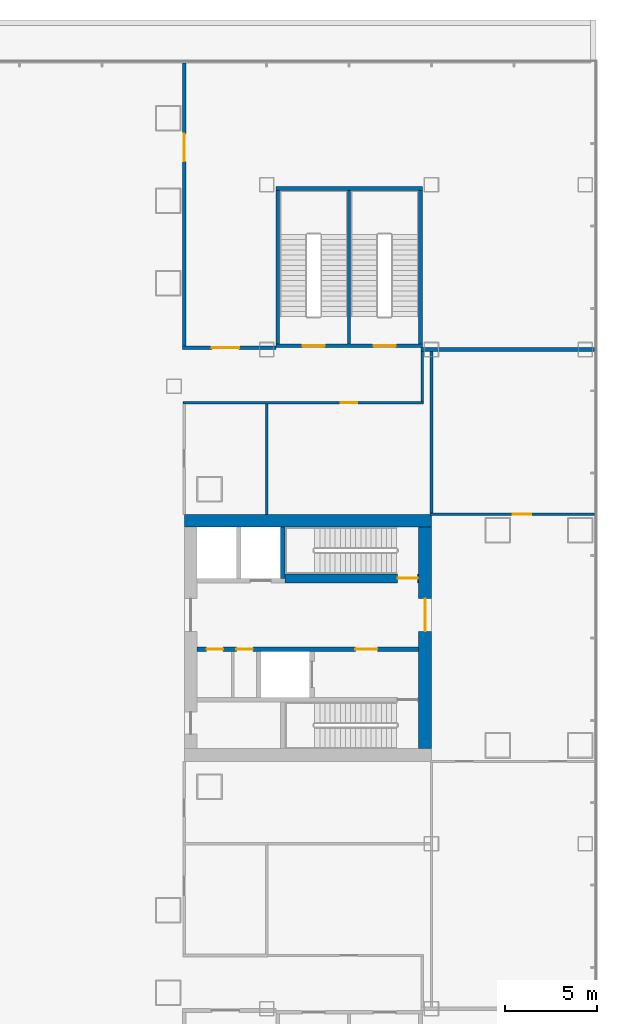
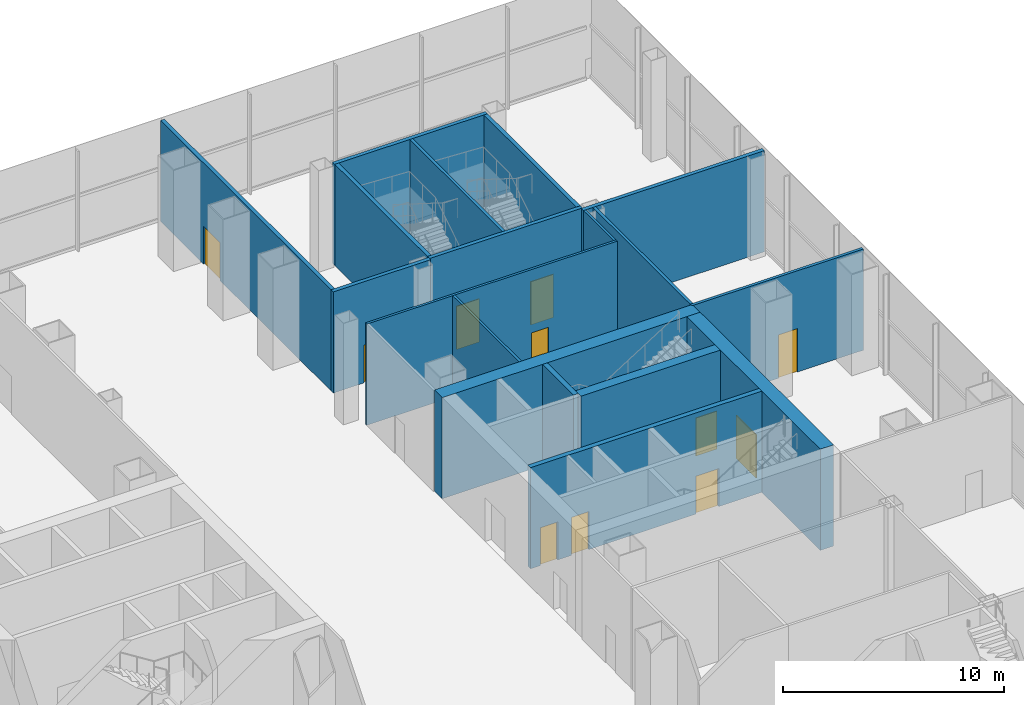
# One storey, part 29 of 38: 18 walls, 11 doors, 11 openings.
"""IFC4 building model written with IfcOpenShell, lengths in metres."""

from ifc_helpers import new_model, si_unit, direction, frame, frame_2d, origin, place, context, subcontext, project, spatial, rectangle, extrude, material, layer, layer_set, type_object, element, fill, save


model = new_model("IFC4")

# Units and contexts
model_context = context("Model", 3, precision=1e-05, world=origin(), true_north=direction((0.0, 1.0)))
body_context = subcontext(model_context, "Body", "Model", "MODEL_VIEW")
ifc_project = project(units=[si_unit("LENGTHUNIT", "METRE"), si_unit("AREAUNIT", "SQUARE_METRE"), si_unit("VOLUMEUNIT", "CUBIC_METRE"), si_unit("PLANEANGLEUNIT", "RADIAN"), si_unit("MASSUNIT", "GRAM", prefix="KILO")], contexts=[model_context])

# Site, building, storey
site_placement = place(None, origin())
site = spatial("IfcSite", under=ifc_project, at=site_placement, CompositionType="ELEMENT")
building_placement = place(site_placement, origin())
building = spatial("IfcBuilding", under=site, at=building_placement, Name="Shamsa Quay Exchange Towers", CompositionType="ELEMENT")
storey_placement = place(building_placement, frame((0.0, 0.0, 12.5)))
storey = spatial("IfcBuildingStorey", under=building, at=storey_placement, Name="L02", CompositionType="ELEMENT", Elevation=12.5)

# Wall, opening, door
ifc_material_1 = material(Name="Double-leaf gypsum board partition with acoustic insulation")
ifc_layer_1 = layer(ifc_material_1, 0.199951171875)
ifc_layer_set_1 = layer_set([ifc_layer_1], Name="Acoustic partition 200 mm EI 60")
wall_type_1 = type_object("IfcWallType", Name="Acoustic partition 200 mm EI 60", PredefinedType="PARTITIONING", material=ifc_layer_set_1)
wall_1_placement = place(storey_placement, frame((40.5, 15.94970703125, 0.0), z_axis=(0.0, 0.0, 1.0), x_axis=(0.0, 1.0, 0.0)))
wall_1 = element("IfcWall", 1, at=wall_1_placement, inside=storey, type_object=wall_type_1, Name="Partition PD-L02-W12", PredefinedType="PARTITIONING", context=body_context, shape_type="SweptSolid", body=[
    extrude(rectangle(XDim=15.455322265625, YDim=0.199951171875, at=frame_2d((7.7275390625, 0.0))), origin(), (0.0, 0.0, 1.0), 5.60009765625),
])
opening_1_placement = place(wall_1_placement, frame((10.075439453125, 0.0, 0.0)))
opening_1 = element("IfcOpeningElement", 2, at=opening_1_placement, cuts=wall_1, Name="Opening PD-L02-D45", PredefinedType="OPENING", context=body_context, shape_type="SweptSolid", body=[
    extrude(rectangle(XDim=1.5, YDim=2.10009765625, at=frame_2d((0.75, 1.050048828125))), frame((0.0, 0.10986328125, 0.0), z_axis=(0.0, -1.0, 0.0), x_axis=(1.0, 0.0, 0.0)), (0.0, 0.0, 1.0), 0.219970703125),
])
ifc_material_2 = material(Name="Timber door leaf in a metal frame", Category="wood")
door_type_1 = type_object("IfcDoorType", Name="Door 1500x2100 FD30S pair", OperationType="NOTDEFINED", PredefinedType="DOOR", material=ifc_material_2)
door_1_placement = place(opening_1_placement, origin())
door_1 = element("IfcDoor", 3, at=door_1_placement, inside=storey, type_object=door_type_1, Name="Door PD-L02-D45", OperationType="DOUBLE_DOOR_SINGLE_SWING", OverallHeight=2.10009765625, OverallWidth=1.5, PredefinedType="DOOR", context=body_context, shape_type="SweptSolid", body=[
    extrude(rectangle(XDim=1.5, YDim=2.10009765625, at=frame_2d((0.75, 1.050048828125))), frame((0.0, 0.02490234375, 0.0), z_axis=(0.0, -1.0, 0.0), x_axis=(1.0, 0.0, 0.0)), (0.0, 0.0, 1.0), 0.050048828125),
])
fill(opening_1, door_1)

wall_2_placement = place(storey_placement, frame((45.5, 15.849609375, 0.0), z_axis=(0.0, 0.0, 1.0), x_axis=(-1.0, 0.0, 0.0)))
wall_2 = element("IfcWall", 4, at=wall_2_placement, inside=storey, type_object=wall_type_1, Name="Partition PD-L02-W35", PredefinedType="PARTITIONING", context=body_context, shape_type="SweptSolid", body=[
    extrude(rectangle(XDim=5.10009765625, YDim=0.199951171875, at=frame_2d((2.550048828125, 0.0))), origin(), (0.0, 0.0, 1.0), 5.60009765625),
])
opening_2_placement = place(wall_2_placement, frame((2.0, 0.0, 0.0)))
opening_2 = element("IfcOpeningElement", 5, at=opening_2_placement, cuts=wall_2, Name="Opening PD-L02-D47", PredefinedType="OPENING", context=body_context, shape_type="SweptSolid", body=[
    extrude(rectangle(XDim=1.5, YDim=2.10009765625, at=frame_2d((0.75, 1.050048828125))), frame((0.0, 0.10986328125, 0.0), z_axis=(0.0, -1.0, 0.0), x_axis=(1.0, 0.0, 0.0)), (0.0, 0.0, 1.0), 0.219970703125),
])
door_2_placement = place(opening_2_placement, origin())
door_2 = element("IfcDoor", 6, at=door_2_placement, inside=storey, type_object=door_type_1, Name="Door PD-L02-D47", OperationType="DOUBLE_DOOR_SINGLE_SWING", OverallHeight=2.10009765625, OverallWidth=1.5, PredefinedType="DOOR", context=body_context, shape_type="SweptSolid", body=[
    extrude(rectangle(XDim=1.5, YDim=2.10009765625, at=frame_2d((0.75, 1.050048828125))), frame((0.0, 0.02490234375, 0.0), z_axis=(0.0, -1.0, 0.0), x_axis=(1.0, 0.0, 0.0)), (0.0, 0.0, 1.0), 0.050048828125),
])
fill(opening_2, door_2)

# Walls
wall_3_placement = place(storey_placement, frame((53.4375, 15.75, 0.0)))
element("IfcWall", 7, at=wall_3_placement, inside=storey, type_object=wall_type_1, Name="Partition PD-L02-W76", PredefinedType="PARTITIONING", context=body_context, shape_type="SweptSolid", body=[
    extrude(rectangle(XDim=9.467529296875, YDim=0.199951171875, at=frame_2d((4.73388671875, 0.0))), origin(), (0.0, 0.0, 1.0), 5.60009765625),
])
ifc_material_3 = material(Name="Concrete C80/95", Category="concrete")
ifc_layer_2 = layer(ifc_material_3, 0.699951171875)
ifc_layer_set_2 = layer_set([ifc_layer_2], Name="CORE WALL 700 C80/95")
wall_type_2 = type_object("IfcWallType", Name="CORE WALL 700 C80/95", PredefinedType="SHEAR", material=ifc_layer_set_2)
wall_4_placement = place(storey_placement, frame((54.0, 6.39990234375, 0.0), z_axis=(0.0, 0.0, 1.0), x_axis=(-1.0, 0.0, 0.0)))
element("IfcWall", 8, at=wall_4_placement, inside=storey, type_object=wall_type_2, Name="Core wall T2B-L02-PN", PredefinedType="SHEAR", context=body_context, shape_type="SweptSolid", body=[
    extrude(rectangle(XDim=13.5, YDim=0.699951171875, at=frame_2d((6.75, 0.0))), origin(), (0.0, 0.0, 1.0), 5.60009765625),
])

# Wall, opening, door
wall_5_placement = place(storey_placement, frame((53.64990234375, -6.050048828125, 0.0), z_axis=(0.0, 0.0, 1.0), x_axis=(0.0, 1.0, 0.0)))
wall_5 = element("IfcWall", 9, at=wall_5_placement, inside=storey, type_object=wall_type_2, Name="Core wall T2B-L02-PF", PredefinedType="SHEAR", context=body_context, shape_type="SweptSolid", body=[
    extrude(rectangle(XDim=12.10009765625, YDim=0.699951171875, at=frame_2d((6.050048828125, 0.0))), origin(), (0.0, 0.0, 1.0), 5.60009765625),
])
opening_3_placement = place(wall_5_placement, frame((6.39990234375, 0.0, 0.0)))
opening_3 = element("IfcOpeningElement", 10, at=opening_3_placement, cuts=wall_5, Name="Opening T2B-L02-LBD01", PredefinedType="OPENING", context=body_context, shape_type="SweptSolid", body=[
    extrude(rectangle(XDim=1.800048828125, YDim=2.39990234375, at=frame_2d((0.89990234375, 1.199951171875))), frame((0.0, 0.35986328125, 0.0), z_axis=(0.0, -1.0, 0.0), x_axis=(1.0, 0.0, 0.0)), (0.0, 0.0, 1.0), 0.719970703125),
])
ifc_material_4 = material(Name="Steel, fire rated", Category="steel")
door_type_2 = type_object("IfcDoorType", Name="LIFT LOBBY DOOR PAIR 1800", OperationType="DOUBLE_DOOR_SINGLE_SWING", PredefinedType="DOOR", material=ifc_material_4)
door_3_placement = place(opening_3_placement, origin())
door_3 = element("IfcDoor", 11, at=door_3_placement, inside=storey, type_object=door_type_2, Name="T2B-L02-LBD01", OperationType="DOUBLE_DOOR_SINGLE_SWING", OverallHeight=2.39990234375, OverallWidth=1.800048828125, PredefinedType="DOOR", context=body_context, shape_type="SweptSolid", body=[
    extrude(rectangle(XDim=1.800048828125, YDim=2.39990234375, at=frame_2d((0.89990234375, 1.199951171875))), frame((0.0, 0.02490234375, 0.0), z_axis=(0.0, -1.0, 0.0), x_axis=(1.0, 0.0, 0.0)), (0.0, 0.0, 1.0), 0.050048828125),
])
fill(opening_3, door_3)

ifc_material_5 = material(Name="Laminated fire-resisting glass in a metal frame", Category="glass")
ifc_layer_3 = layer(ifc_material_5, 0.125)
ifc_layer_set_3 = layer_set([ifc_layer_3], Name="Glazed partition 125 mm EI 60")
wall_type_3 = type_object("IfcWallType", Name="Glazed partition 125 mm EI 60", PredefinedType="PARTITIONING", material=ifc_layer_set_3)
wall_6_placement = place(storey_placement, frame((53.5625, 12.849609375, 0.0), z_axis=(0.0, 0.0, 1.0), x_axis=(-1.0, 0.0, 0.0)))
wall_6 = element("IfcWall", 12, at=wall_6_placement, inside=storey, type_object=wall_type_3, Name="Partition PD-L02-W42", PredefinedType="PARTITIONING", context=body_context, shape_type="SweptSolid", body=[
    extrude(rectangle(XDim=13.125, YDim=0.125, at=frame_2d((6.5625, 0.0))), origin(), (0.0, 0.0, 1.0), 5.60009765625),
])
opening_4_placement = place(wall_6_placement, frame((3.612548828125, 0.0, 0.0)))
opening_4 = element("IfcOpeningElement", 13, at=opening_4_placement, cuts=wall_6, Name="Opening PD-L02-D48", PredefinedType="OPENING", context=body_context, shape_type="SweptSolid", body=[
    extrude(rectangle(XDim=0.89990234375, YDim=2.10009765625, at=frame_2d((0.449951171875, 1.050048828125))), frame((0.0, 0.072509765625, 0.0), z_axis=(0.0, -1.0, 0.0), x_axis=(1.0, 0.0, 0.0)), (0.0, 0.0, 1.0), 0.14501953125),
])
door_type_3 = type_object("IfcDoorType", Name="Door 900x2100 FD30S", OperationType="NOTDEFINED", PredefinedType="DOOR", material=ifc_material_2)
door_4_placement = place(opening_4_placement, origin())
door_4 = element("IfcDoor", 14, at=door_4_placement, inside=storey, type_object=door_type_3, Name="Door PD-L02-D48", OperationType="SINGLE_SWING_RIGHT", OverallHeight=2.10009765625, OverallWidth=0.89990234375, PredefinedType="DOOR", context=body_context, shape_type="SweptSolid", body=[
    extrude(rectangle(XDim=0.89990234375, YDim=2.10009765625, at=frame_2d((0.449951171875, 1.050048828125))), frame((0.0, 0.02490234375, 0.0), z_axis=(0.0, -1.0, 0.0), x_axis=(1.0, 0.0, 0.0)), (0.0, 0.0, 1.0), 0.050048828125),
])
fill(opening_4, door_4)

# Walls
wall_7_placement = place(storey_placement, frame((53.5, 15.64990234375, 0.0), z_axis=(0.0, 0.0, 1.0), x_axis=(0.0, -1.0, 0.0)))
element("IfcWall", 15, at=wall_7_placement, inside=storey, type_object=wall_type_3, Name="Partition PD-L02-W47", PredefinedType="PARTITIONING", context=body_context, shape_type="SweptSolid", body=[
    extrude(rectangle(XDim=2.73779296875, YDim=0.125, at=frame_2d((1.368896484375, 0.0))), origin(), (0.0, 0.0, 1.0), 5.60009765625),
])
wall_8_placement = place(storey_placement, frame((45.0, 12.787109375, 0.0), z_axis=(0.0, 0.0, 1.0), x_axis=(0.0, -1.0, 0.0)))
element("IfcWall", 16, at=wall_8_placement, inside=storey, type_object=wall_type_3, Name="Partition PD-L02-W95", PredefinedType="PARTITIONING", context=body_context, shape_type="SweptSolid", body=[
    extrude(rectangle(XDim=6.037109375, YDim=0.125, at=frame_2d((3.0185546875, 0.0))), origin(), (0.0, 0.0, 1.0), 5.60009765625),
])

# Wall, opening, door
ifc_material_6 = material(Name="Gypsum board partition on metal studs")
ifc_layer_4 = layer(ifc_material_6, 0.14990234375)
ifc_layer_set_4 = layer_set([ifc_layer_4], Name="Partition 150 mm EI 60")
wall_type_4 = type_object("IfcWallType", Name="Partition 150 mm EI 60", PredefinedType="PARTITIONING", material=ifc_layer_set_4)
wall_9_placement = place(storey_placement, frame((53.925048828125, 6.75, 0.0)))
wall_9 = element("IfcWall", 17, at=wall_9_placement, inside=storey, type_object=wall_type_4, Name="Partition PD-L02-W34", PredefinedType="PARTITIONING", context=body_context, shape_type="SweptSolid", body=[
    extrude(rectangle(XDim=8.97998046875, YDim=0.14990234375, at=frame_2d((4.489990234375, 0.0))), origin(), (0.0, 0.0, 1.0), 5.60009765625),
])
opening_5_placement = place(wall_9_placement, frame((4.52490234375, 0.0, 0.0)))
opening_5 = element("IfcOpeningElement", 18, at=opening_5_placement, cuts=wall_9, Name="Opening PD-L02-D51", PredefinedType="OPENING", context=body_context, shape_type="SweptSolid", body=[
    extrude(rectangle(XDim=1.0, YDim=2.39990234375, at=frame_2d((0.5, 1.199951171875))), frame((0.0, 0.0849609375, 0.0), z_axis=(0.0, -1.0, 0.0), x_axis=(1.0, 0.0, 0.0)), (0.0, 0.0, 1.0), 0.169921875),
])
door_type_4 = type_object("IfcDoorType", Name="Door 1000x2400 FD30S", OperationType="NOTDEFINED", PredefinedType="DOOR", material=ifc_material_2)
door_5_placement = place(opening_5_placement, origin())
door_5 = element("IfcDoor", 19, at=door_5_placement, inside=storey, type_object=door_type_4, Name="Door PD-L02-D51", OperationType="SINGLE_SWING_RIGHT", OverallHeight=2.39990234375, OverallWidth=1.0, PredefinedType="DOOR", context=body_context, shape_type="SweptSolid", body=[
    extrude(rectangle(XDim=1.0, YDim=2.39990234375, at=frame_2d((0.5, 1.199951171875))), frame((0.0, 0.02490234375, 0.0), z_axis=(0.0, -1.0, 0.0), x_axis=(1.0, 0.0, 0.0)), (0.0, 0.0, 1.0), 0.050048828125),
])
fill(opening_5, door_5)

# Wall
wall_10_placement = place(storey_placement, frame((54.0, 15.64990234375, 0.0), z_axis=(0.0, 0.0, 1.0), x_axis=(0.0, -1.0, 0.0)))
element("IfcWall", 20, at=wall_10_placement, inside=storey, type_object=wall_type_4, Name="Partition PD-L02-W90", PredefinedType="PARTITIONING", context=body_context, shape_type="SweptSolid", body=[
    extrude(rectangle(XDim=8.824951171875, YDim=0.14990234375, at=frame_2d((4.41259765625, 0.0))), origin(), (0.0, 0.0, 1.0), 5.60009765625),
])

# Wall, openings, doors
ifc_material_7 = material(Name="Concrete C50/60", Category="concrete")
ifc_layer_5 = layer(ifc_material_7, 0.25)
ifc_layer_set_5 = layer_set([ifc_layer_5], Name="SHAFT WALL 250 C50/60")
wall_type_5 = type_object("IfcWallType", Name="SHAFT WALL 250 C50/60", PredefinedType="SHEAR", material=ifc_layer_set_5)
wall_11_placement = place(storey_placement, frame((53.300048828125, -0.625, 0.0), z_axis=(0.0, 0.0, 1.0), x_axis=(-1.0, 0.0, 0.0)))
wall_11 = element("IfcWall", 21, at=wall_11_placement, inside=storey, type_object=wall_type_5, Name="Shaft wall T2B-L02-B", PredefinedType="SHEAR", context=body_context, shape_type="SweptSolid", body=[
    extrude(rectangle(XDim=12.10009765625, YDim=0.25, at=frame_2d((6.050048828125, 0.0))), origin(), (0.0, 0.0, 1.0), 5.60009765625),
])
opening_6_placement = place(wall_11_placement, frame((2.25, 0.0, 0.0)))
opening_6 = element("IfcOpeningElement", 22, at=opening_6_placement, cuts=wall_11, Name="Opening T2B-L02-FD05", PredefinedType="OPENING", context=body_context, shape_type="SweptSolid", body=[
    extrude(rectangle(XDim=1.199951171875, YDim=2.10009765625, at=frame_2d((0.60009765625, 1.050048828125))), frame((0.0, 0.135009765625, 0.0), z_axis=(0.0, -1.0, 0.0), x_axis=(1.0, 0.0, 0.0)), (0.0, 0.0, 1.0), 0.27001953125),
])
opening_7_placement = place(wall_11_placement, frame((9.050048828125, 0.0, 0.0)))
opening_7 = element("IfcOpeningElement", 23, at=opening_7_placement, cuts=wall_11, Name="Opening T2B-L02-SV06", PredefinedType="OPENING", context=body_context, shape_type="SweptSolid", body=[
    extrude(rectangle(XDim=0.89990234375, YDim=2.10009765625, at=frame_2d((0.449951171875, 1.050048828125))), frame((0.0, 0.135009765625, 0.0), z_axis=(0.0, -1.0, 0.0), x_axis=(1.0, 0.0, 0.0)), (0.0, 0.0, 1.0), 0.27001953125),
])
opening_8_placement = place(wall_11_placement, frame((10.675048828125, 0.0, 0.0)))
opening_8 = element("IfcOpeningElement", 24, at=opening_8_placement, cuts=wall_11, Name="Opening T2B-L02-SV07", PredefinedType="OPENING", context=body_context, shape_type="SweptSolid", body=[
    extrude(rectangle(XDim=0.89990234375, YDim=2.10009765625, at=frame_2d((0.449951171875, 1.050048828125))), frame((0.0, 0.135009765625, 0.0), z_axis=(0.0, -1.0, 0.0), x_axis=(1.0, 0.0, 0.0)), (0.0, 0.0, 1.0), 0.27001953125),
])
door_type_5 = type_object("IfcDoorType", Name="FIRE SERVICE LOBBY DOOR 1200", OperationType="SINGLE_SWING_LEFT", PredefinedType="DOOR", material=ifc_material_4)
door_6_placement = place(opening_6_placement, origin())
door_6 = element("IfcDoor", 25, at=door_6_placement, inside=storey, type_object=door_type_5, Name="T2B-L02-FD05", OperationType="SINGLE_SWING_LEFT", OverallHeight=2.10009765625, OverallWidth=1.199951171875, PredefinedType="DOOR", context=body_context, shape_type="SweptSolid", body=[
    extrude(rectangle(XDim=1.199951171875, YDim=2.10009765625, at=frame_2d((0.60009765625, 1.050048828125))), frame((0.0, 0.02490234375, 0.0), z_axis=(0.0, -1.0, 0.0), x_axis=(1.0, 0.0, 0.0)), (0.0, 0.0, 1.0), 0.050048828125),
])
fill(opening_6, door_6)
door_type_6 = type_object("IfcDoorType", Name="SERVICE ROOM DOOR 900", OperationType="SINGLE_SWING_LEFT", PredefinedType="DOOR", material=ifc_material_4)
door_7_placement = place(opening_7_placement, origin())
door_7 = element("IfcDoor", 26, at=door_7_placement, inside=storey, type_object=door_type_6, Name="T2B-L02-SV06", OperationType="SINGLE_SWING_RIGHT", OverallHeight=2.10009765625, OverallWidth=0.89990234375, PredefinedType="DOOR", context=body_context, shape_type="SweptSolid", body=[
    extrude(rectangle(XDim=0.89990234375, YDim=2.10009765625, at=frame_2d((0.449951171875, 1.050048828125))), frame((0.0, 0.02490234375, 0.0), z_axis=(0.0, -1.0, 0.0), x_axis=(1.0, 0.0, 0.0)), (0.0, 0.0, 1.0), 0.050048828125),
])
fill(opening_7, door_7)
door_8_placement = place(opening_8_placement, origin())
door_8 = element("IfcDoor", 27, at=door_8_placement, inside=storey, type_object=door_type_6, Name="T2B-L02-SV07", OperationType="SINGLE_SWING_RIGHT", OverallHeight=2.10009765625, OverallWidth=0.89990234375, PredefinedType="DOOR", context=body_context, shape_type="SweptSolid", body=[
    extrude(rectangle(XDim=0.89990234375, YDim=2.10009765625, at=frame_2d((0.449951171875, 1.050048828125))), frame((0.0, 0.02490234375, 0.0), z_axis=(0.0, -1.0, 0.0), x_axis=(1.0, 0.0, 0.0)), (0.0, 0.0, 1.0), 0.050048828125),
])
fill(opening_8, door_8)

# Wall
wall_12_placement = place(storey_placement, frame((45.875, 3.25, 0.0), z_axis=(0.0, 0.0, 1.0), x_axis=(0.0, 1.0, 0.0)))
element("IfcWall", 28, at=wall_12_placement, inside=storey, type_object=wall_type_5, Name="Shaft wall T2B-L02-STF2", PredefinedType="SHEAR", context=body_context, shape_type="SweptSolid", body=[
    extrude(rectangle(XDim=2.800048828125, YDim=0.25, at=frame_2d((1.39990234375, 0.0))), origin(), (0.0, 0.0, 1.0), 5.60009765625),
])

# Wall, opening, door
ifc_layer_6 = layer(ifc_material_7, 0.5)
ifc_layer_set_6 = layer_set([ifc_layer_6], Name="SHAFT WALL 500 C50/60")
wall_type_6 = type_object("IfcWallType", Name="SHAFT WALL 500 C50/60", PredefinedType="SHEAR", material=ifc_layer_set_6)
wall_13_placement = place(storey_placement, frame((46.0, 3.25, 0.0)))
wall_13 = element("IfcWall", 29, at=wall_13_placement, inside=storey, type_object=wall_type_6, Name="Shaft wall T2B-L02-N", PredefinedType="SHEAR", context=body_context, shape_type="SweptSolid", body=[
    extrude(rectangle(XDim=7.300048828125, YDim=0.5, at=frame_2d((3.64990234375, 0.0))), origin(), (0.0, 0.0, 1.0), 5.60009765625),
])
opening_9_placement = place(wall_13_placement, frame((6.14990234375, 0.0, 0.0)))
opening_9 = element("IfcOpeningElement", 30, at=opening_9_placement, cuts=wall_13, Name="Opening T2B-L02-SD09", PredefinedType="OPENING", context=body_context, shape_type="SweptSolid", body=[
    extrude(rectangle(XDim=1.10009765625, YDim=2.10009765625, at=frame_2d((0.550048828125, 1.050048828125))), frame((0.0, 0.260009765625, 0.0), z_axis=(0.0, -1.0, 0.0), x_axis=(1.0, 0.0, 0.0)), (0.0, 0.0, 1.0), 0.52001953125),
])
door_type_7 = type_object("IfcDoorType", Name="STAIR DOOR 1100", OperationType="SINGLE_SWING_LEFT", PredefinedType="DOOR", material=ifc_material_4)
door_9_placement = place(opening_9_placement, origin())
door_9 = element("IfcDoor", 31, at=door_9_placement, inside=storey, type_object=door_type_7, Name="T2B-L02-SD09", OperationType="SINGLE_SWING_RIGHT", OverallHeight=2.10009765625, OverallWidth=1.10009765625, PredefinedType="DOOR", context=body_context, shape_type="SweptSolid", body=[
    extrude(rectangle(XDim=1.10009765625, YDim=2.10009765625, at=frame_2d((0.550048828125, 1.050048828125))), frame((0.0, 0.02490234375, 0.0), z_axis=(0.0, -1.0, 0.0), x_axis=(1.0, 0.0, 0.0)), (0.0, 0.0, 1.0), 0.050048828125),
])
fill(opening_9, door_9)

# Wall, openings, doors
ifc_layer_7 = layer(ifc_material_7, 0.199951171875)
ifc_layer_set_7 = layer_set([ifc_layer_7], Name="STAIR ENCLOSURE WALL 200 C50/60")
wall_type_7 = type_object("IfcWallType", Name="STAIR ENCLOSURE WALL 200 C50/60", PredefinedType="SHEAR", material=ifc_layer_set_7)
wall_14_placement = place(storey_placement, frame((45.5, 15.949951171875, 0.0)))
wall_14 = element("IfcWall", 32, at=wall_14_placement, inside=storey, type_object=wall_type_7, Name="Stair enclosure wall PS4 inward", PredefinedType="SHEAR", context=body_context, shape_type="SweptSolid", body=[
    extrude(rectangle(XDim=8.0, YDim=0.199951171875, at=frame_2d((4.0, 0.0))), origin(), (0.0, 0.0, 1.0), 5.60009765625),
])
opening_10_placement = place(wall_14_placement, frame((1.46240234375, 0.0, 0.0)))
opening_10 = element("IfcOpeningElement", 33, at=opening_10_placement, cuts=wall_14, Name="Opening PS4A-L02-SD01", PredefinedType="OPENING", context=body_context, shape_type="SweptSolid", body=[
    extrude(rectangle(XDim=1.199951171875, YDim=2.39990234375, at=frame_2d((0.60009765625, 1.199951171875))), frame((0.0, 0.10986328125, 0.0), z_axis=(0.0, -1.0, 0.0), x_axis=(1.0, 0.0, 0.0)), (0.0, 0.0, 1.0), 0.219970703125),
])
opening_11_placement = place(wall_14_placement, frame((5.33740234375, 0.0, 0.0)))
opening_11 = element("IfcOpeningElement", 34, at=opening_11_placement, cuts=wall_14, Name="Opening PS4B-L02-SD01", PredefinedType="OPENING", context=body_context, shape_type="SweptSolid", body=[
    extrude(rectangle(XDim=1.199951171875, YDim=2.39990234375, at=frame_2d((0.60009765625, 1.199951171875))), frame((0.0, 0.10986328125, 0.0), z_axis=(0.0, -1.0, 0.0), x_axis=(1.0, 0.0, 0.0)), (0.0, 0.0, 1.0), 0.219970703125),
])
door_type_8 = type_object("IfcDoorType", Name="PODIUM STAIR DOOR 1200", OperationType="SINGLE_SWING_LEFT", PredefinedType="DOOR", material=ifc_material_4)
door_10_placement = place(opening_10_placement, origin())
door_10 = element("IfcDoor", 35, at=door_10_placement, inside=storey, type_object=door_type_8, Name="PS4A-L02-SD01", OperationType="SINGLE_SWING_LEFT", OverallHeight=2.39990234375, OverallWidth=1.199951171875, PredefinedType="DOOR", context=body_context, shape_type="SweptSolid", body=[
    extrude(rectangle(XDim=1.199951171875, YDim=2.39990234375, at=frame_2d((0.60009765625, 1.199951171875))), frame((0.0, 0.02490234375, 0.0), z_axis=(0.0, -1.0, 0.0), x_axis=(1.0, 0.0, 0.0)), (0.0, 0.0, 1.0), 0.050048828125),
])
fill(opening_10, door_10)
door_11_placement = place(opening_11_placement, origin())
door_11 = element("IfcDoor", 36, at=door_11_placement, inside=storey, type_object=door_type_8, Name="PS4B-L02-SD01", OperationType="SINGLE_SWING_RIGHT", OverallHeight=2.39990234375, OverallWidth=1.199951171875, PredefinedType="DOOR", context=body_context, shape_type="SweptSolid", body=[
    extrude(rectangle(XDim=1.199951171875, YDim=2.39990234375, at=frame_2d((0.60009765625, 1.199951171875))), frame((0.0, 0.02490234375, 0.0), z_axis=(0.0, -1.0, 0.0), x_axis=(1.0, 0.0, 0.0)), (0.0, 0.0, 1.0), 0.050048828125),
])
fill(opening_11, door_11)

# Walls
wall_15_placement = place(storey_placement, frame((45.5, 24.550048828125, 0.0)))
element("IfcWall", 37, at=wall_15_placement, inside=storey, type_object=wall_type_7, Name="Stair enclosure wall PS4 outward", PredefinedType="SHEAR", context=body_context, shape_type="SweptSolid", body=[
    extrude(rectangle(XDim=8.0, YDim=0.199951171875, at=frame_2d((4.0, 0.0))), origin(), (0.0, 0.0, 1.0), 5.60009765625),
])
for number, where, z_axis, x_axis, name in (
    (38, (45.60009765625, 16.050048828125, 0.0), (0.0, 0.0, 1.0), (0.0, 1.0, 0.0), "Stair enclosure wall PS4 west"),
    (39, (53.39990234375, 16.050048828125, 0.0), (0.0, 0.0, 1.0), (0.0, 1.0, 0.0), "Stair enclosure wall PS4 east"),
):
    element("IfcWall", number, at=place(storey_placement, frame(where, z_axis=z_axis, x_axis=x_axis)), inside=storey, type_object=wall_type_7, Name=name, PredefinedType="SHEAR", context=body_context, shape_type="SweptSolid", body=[
        extrude(rectangle(XDim=8.39990234375, YDim=0.199951171875, at=frame_2d((4.199951171875, 0.0))), origin(), (0.0, 0.0, 1.0), 5.60009765625),
    ])
ifc_layer_8 = layer(ifc_material_7, 0.14990234375)
ifc_layer_set_8 = layer_set([ifc_layer_8], Name="STAIR PARTITION WALL 150 C50/60")
wall_type_8 = type_object("IfcWallType", Name="STAIR PARTITION WALL 150 C50/60", PredefinedType="SHEAR", material=ifc_layer_set_8)
wall_16_placement = place(storey_placement, frame((49.5, 16.050048828125, 0.0), z_axis=(0.0, 0.0, 1.0), x_axis=(0.0, 1.0, 0.0)))
element("IfcWall", 40, at=wall_16_placement, inside=storey, type_object=wall_type_8, Name="Stair enclosure wall PS4 between the stairs", PredefinedType="SHEAR", context=body_context, shape_type="SweptSolid", body=[
    extrude(rectangle(XDim=8.39990234375, YDim=0.14990234375, at=frame_2d((4.199951171875, 0.0))), origin(), (0.0, 0.0, 1.0), 5.60009765625),
])

save(model, "model.ifc")
